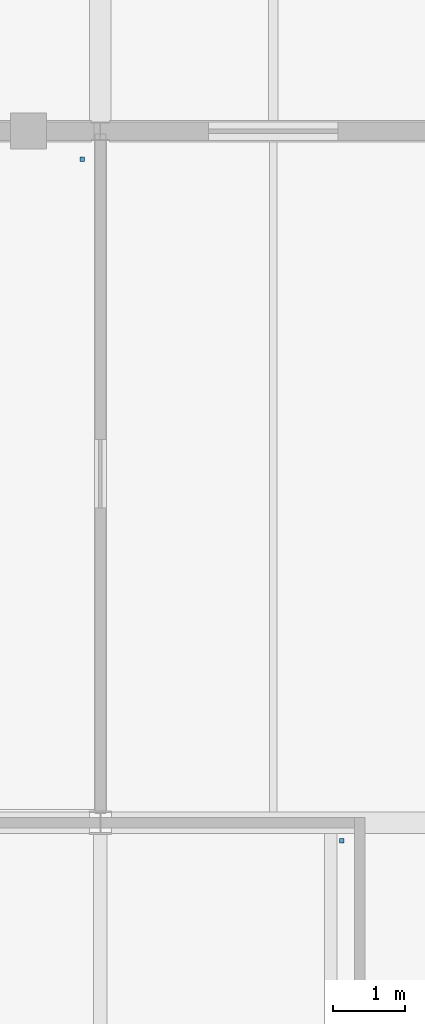
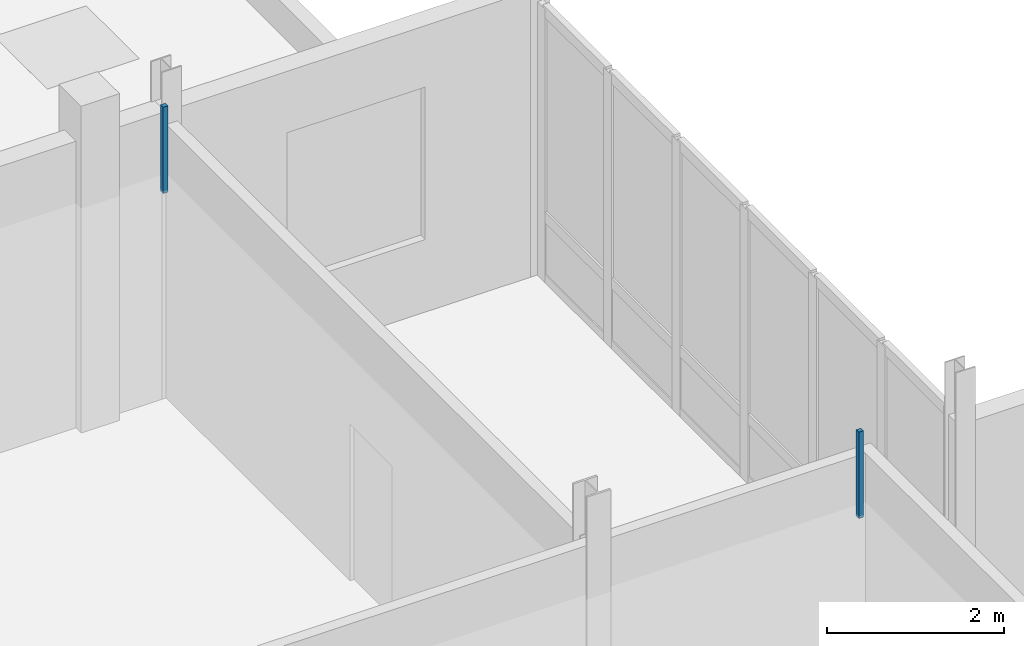
# One storey, part 83 of 107: 2 discrete accessories.
"""IFC4 building model written with IfcOpenShell, lengths in metres."""

import ifcopenshell
import ifcopenshell.guid

model = None  # the IFC model being written
_history = None  # IfcOwnerHistory: only IFC2X3 demands one
_inside = {}  # id of a spatial element -> (the spatial element, [elements in it])
_under = {}  # id of a project, library or spatial element -> (it, [spatial elements below it])
_declared = {}  # id of a project -> (the project, [libraries it declares])
_typed = {}  # id of a type object -> (the type object, [elements of that type])
_made_of = {}  # id of a material, layer set ... -> (it, [elements and type objects made of it])


def new_model(schema):
    """Start an empty IFC model of exactly this schema.

    Asked for "IFC4X3", IfcOpenShell would pick the latest addendum, in which some entities
    have other attributes; the version numbers below select the first issue.
    IFC2X3 requires an IfcOwnerHistory on every rooted entity: one is made here for all.
    """
    global model, _history
    if schema == "IFC4X3":
        model = ifcopenshell.file(schema_version=(4, 3, 0, 0))
    else:
        model = ifcopenshell.file(schema=schema)
    _inside.clear()
    _under.clear()
    _declared.clear()
    _typed.clear()
    _made_of.clear()
    _history = None
    if model.schema == "IFC2X3":
        org = make("IfcOrganization", Name="unknown")
        user = make(
            "IfcPersonAndOrganization",
            ThePerson=make("IfcPerson", FamilyName="unknown"),
            TheOrganization=org,
        )
        app = make(
            "IfcApplication",
            ApplicationDeveloper=org,
            Version="unknown",
            ApplicationFullName="unknown",
            ApplicationIdentifier="unknown",
        )
        _history = make(
            "IfcOwnerHistory",
            OwningUser=user,
            OwningApplication=app,
            ChangeAction="ADDED",
            CreationDate=0,
        )
    return model


def make(cls, **values):
    """One entity of the class cls with the attributes given. An attribute that is None is left unset."""
    return model.create_entity(
        cls, **{name: value for name, value in values.items() if value is not None}
    )


def rooted(cls, **values):
    """An entity with a GlobalId (a new one), such as an element, a storey or a relation."""
    return make(cls, GlobalId=ifcopenshell.guid.new(), OwnerHistory=_history, **values)


def si_unit(unit_type, name, prefix=None):
    """IfcSIUnit, for example si_unit("LENGTHUNIT", "METRE", prefix="MILLI")."""
    return make("IfcSIUnit", UnitType=unit_type, Prefix=prefix, Name=name)


def assignment(units):
    """IfcUnitAssignment: the units of a project."""
    return None if units is None else make("IfcUnitAssignment", Units=units)


def point(xyz):
    """IfcCartesianPoint."""
    return None if xyz is None else make("IfcCartesianPoint", Coordinates=xyz)


def direction(xyz):
    """IfcDirection."""
    return None if xyz is None else make("IfcDirection", DirectionRatios=xyz)


def frame(location, z_axis=None, x_axis=None):
    """IfcAxis2Placement3D, a coordinate frame: its origin and axes. An axis left out is left unset."""
    return make(
        "IfcAxis2Placement3D",
        Location=point(location),
        Axis=direction(z_axis),
        RefDirection=direction(x_axis),
    )


def origin():
    """The frame at (0, 0, 0) with its axes left unset."""
    return frame((0.0, 0.0, 0.0))


def place(relative_to, where):
    """IfcLocalPlacement: puts the frame where relative to a parent placement (None: the world)."""
    return make(
        "IfcLocalPlacement", PlacementRelTo=relative_to, RelativePlacement=where
    )


def context(
    kind, dimensions, precision=None, world=None, true_north=None, identifier=None
):
    """IfcGeometricRepresentationContext, for example the 3D "Model" context."""
    return make(
        "IfcGeometricRepresentationContext",
        ContextIdentifier=identifier,
        ContextType=kind,
        CoordinateSpaceDimension=dimensions,
        Precision=precision,
        WorldCoordinateSystem=world,
        TrueNorth=true_north,
    )


def subcontext(parent, identifier, kind, view, scale=None):
    """IfcGeometricRepresentationSubContext, for example "Body" below "Model"."""
    return make(
        "IfcGeometricRepresentationSubContext",
        ContextIdentifier=identifier,
        ContextType=kind,
        ParentContext=parent,
        TargetScale=scale,
        TargetView=view,
    )


def project(units=None, contexts=None):
    """IfcProject with its units and contexts."""
    return rooted(
        "IfcProject",
        Name="project",
        RepresentationContexts=contexts,
        UnitsInContext=assignment(units),
    )


def spatial(cls, under=None, at=None, **own):
    """A site, building, storey or space (cls), placed at a placement, below another one or the project."""
    s = rooted(cls, ObjectPlacement=at, **own)
    if under is not None:
        _under.setdefault(under.id(), (under, []))[1].append(s)
    return s


def polyline(points):
    """IfcPolyline through the points."""
    return make("IfcPolyline", Points=[point(p) for p in points])


def outline(outer, holes=None, kind="AREA"):
    """IfcArbitraryClosedProfileDef: a profile drawn as a closed curve; with holes, ...WithVoids."""
    if holes is None:
        return make("IfcArbitraryClosedProfileDef", ProfileType=kind, OuterCurve=outer)
    return make(
        "IfcArbitraryProfileDefWithVoids",
        ProfileType=kind,
        OuterCurve=outer,
        InnerCurves=holes,
    )


def extrude(swept, where, along, depth):
    """IfcExtrudedAreaSolid: the profile swept, set in the frame where, extruded along a direction by depth."""
    return make(
        "IfcExtrudedAreaSolid",
        SweptArea=swept,
        Position=where,
        ExtrudedDirection=direction(along),
        Depth=depth,
    )


def shape(context_of_items, identifier, shape_type, items):
    """IfcShapeRepresentation: the items that make up one representation, for example the "Body"."""
    return make(
        "IfcShapeRepresentation",
        ContextOfItems=context_of_items,
        RepresentationIdentifier=identifier,
        RepresentationType=shape_type,
        Items=items,
    )


def material(Name=None, Category=None):
    """IfcMaterial."""
    return make("IfcMaterial", Name=Name, Category=Category)


def made_of(thing, what):
    """Note that an element or type object is made of a material, layer set ...; save() writes the relation."""
    if what is not None:
        _made_of.setdefault(what.id(), (what, []))[1].append(thing)
    return thing


def type_object(cls, material=None, **own):
    """A type object (cls), such as IfcWallType, which elements share."""
    return made_of(rooted(cls, **own), material)


def element(
    cls,
    number,
    at=None,
    inside=None,
    cuts=None,
    type_object=None,
    material=None,
    context=None,
    identifier="Body",
    shape_type=None,
    held_by="IfcProductDefinitionShape",
    body=None,
    shapes=None,
    **own,
):
    """One element of the class cls, such as IfcWall. Its Tag is "e" and its number.

    at: its placement. inside: the storey or other place that contains it. cuts: it is an
    opening in that element (IfcRelVoidsElement). A single representation is given by context,
    identifier, shape_type and body (its items); several are given by shapes. held_by: the class
    of the entity that holds the representations. save() writes the other relations.
    """
    e = rooted(cls, Tag="e%d" % number, ObjectPlacement=at, **own)
    if body is not None:
        shapes = [shape(context, identifier, shape_type, body)]
    if shapes is not None:
        e.Representation = make(held_by, Representations=shapes)
    if inside is not None:
        _inside.setdefault(inside.id(), (inside, []))[1].append(e)
    if cuts is not None:
        rooted(
            "IfcRelVoidsElement", RelatingBuildingElement=cuts, RelatedOpeningElement=e
        )
    if type_object is not None:
        _typed.setdefault(type_object.id(), (type_object, []))[1].append(e)
    return made_of(e, material)


def aggregate(whole, parts):
    """IfcRelAggregates: a whole, such as a stair, and the parts it consists of."""
    return rooted("IfcRelAggregates", RelatingObject=whole, RelatedObjects=parts)


def save(model, path):
    """Write the relations noted so far, then the file.

    IfcRelAggregates (storeys below a building ...), IfcRelContainedInSpatialStructure (elements
    in a storey), IfcRelDefinesByType, IfcRelAssociatesMaterial and IfcRelDeclares: one each for
    every whole, place, type object, material and project.
    """
    for whole, parts in _under.values():
        aggregate(whole, parts)
    for where, things in _inside.values():
        rooted(
            "IfcRelContainedInSpatialStructure",
            RelatedElements=things,
            RelatingStructure=where,
        )
    for kind, things in _typed.values():
        rooted("IfcRelDefinesByType", RelatedObjects=things, RelatingType=kind)
    for what, things in _made_of.values():
        rooted("IfcRelAssociatesMaterial", RelatedObjects=things, RelatingMaterial=what)
    for by, libraries in _declared.values():
        rooted("IfcRelDeclares", RelatingContext=by, RelatedDefinitions=libraries)
    model.write(path)


model = new_model("IFC4")

# Units and contexts
model_context = context("Model", 3, precision=1e-05, world=origin(), true_north=direction((0.0, 1.0)))
body_context = subcontext(model_context, "Body", "Model", "MODEL_VIEW")
ifc_project = project(units=[si_unit("LENGTHUNIT", "METRE"), si_unit("AREAUNIT", "SQUARE_METRE"), si_unit("VOLUMEUNIT", "CUBIC_METRE"), si_unit("PLANEANGLEUNIT", "RADIAN"), si_unit("MASSUNIT", "GRAM", prefix="KILO")], contexts=[model_context])

# Site, building, storey
site_placement = place(None, origin())
site = spatial("IfcSite", under=ifc_project, at=site_placement, CompositionType="ELEMENT")
building_placement = place(site_placement, origin())
building = spatial("IfcBuilding", under=site, at=building_placement, Name="Dunescarp Central Library", CompositionType="ELEMENT")
storey_placement = place(building_placement, frame((0.0, 0.0, 5.10009765625)))
storey = spatial("IfcBuildingStorey", under=building, at=storey_placement, Name="L01", CompositionType="ELEMENT", Elevation=5.10009765625)

# Discrete accessories
ifc_material = material(Name="Stainless steel Grade 316L", Category="steel")
discrete_accessory_type = type_object("IfcDiscreteAccessoryType", Name="ARC-ACC-BRK", PredefinedType="BRACKET", material=ifc_material)
discrete_accessory_1_placement = place(storey_placement, frame((0.0, 0.0, 3.059814453125)))
element("IfcDiscreteAccessory", 1, at=discrete_accessory_1_placement, inside=storey, type_object=discrete_accessory_type, Name="L01 ceiling hanger CLG-L01-128-H2", PredefinedType="BRACKET", context=body_context, shape_type="SweptSolid", body=[
    extrude(outline(polyline([(22.52001953125, 89.320068359375), (22.580078125, 89.320068359375), (22.580078125, 89.3798828125), (22.52001953125, 89.3798828125), (22.52001953125, 89.320068359375)])), origin(), (0.0, 0.0, 1.0), 1.190185546875),
])
discrete_accessory_2_placement = place(storey_placement, frame((0.0, 0.0, 3.059814453125)))
element("IfcDiscreteAccessory", 2, at=discrete_accessory_2_placement, inside=storey, type_object=discrete_accessory_type, Name="L01 ceiling hanger CLG-L01-129-H2", PredefinedType="BRACKET", context=body_context, shape_type="SweptSolid", body=[
    extrude(outline(polyline([(18.919921875, 98.780029296875), (18.97998046875, 98.780029296875), (18.97998046875, 98.840087890625), (18.919921875, 98.840087890625), (18.919921875, 98.780029296875)])), origin(), (0.0, 0.0, 1.0), 1.190185546875),
])

save(model, "model.ifc")
